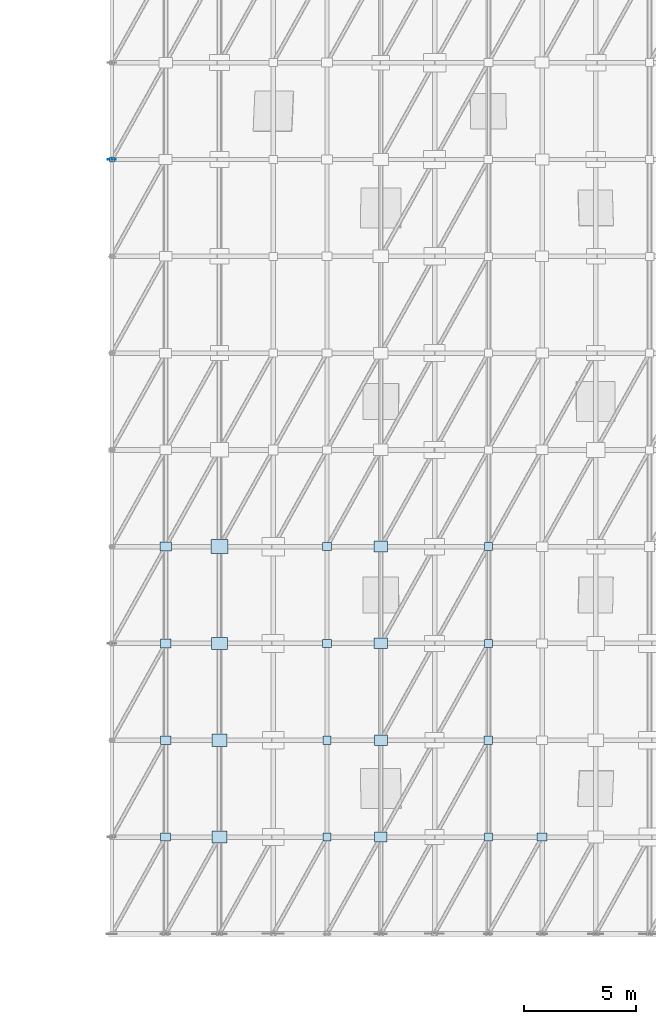
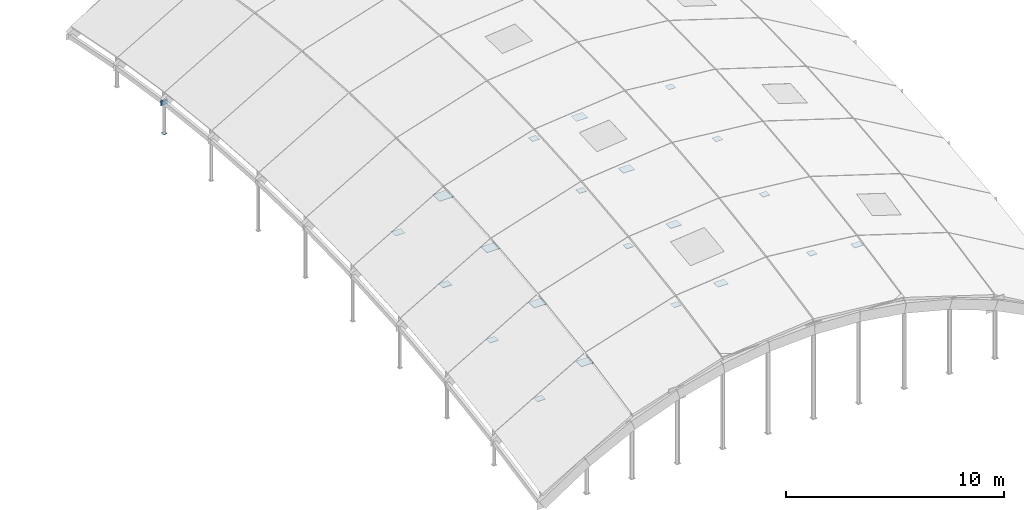
# One storey, part 29 of 35: 23 plates.
"""IFC4 building model written with IfcOpenShell, lengths in metres."""

from ifc_helpers import new_model, si_unit, direction, frame, origin, origin_2d, place, context, subcontext, project, spatial, rectangle, extrude, material, layer, layer_set, type_object, element, save


model = new_model("IFC4")

# Units and contexts
model_context = context("Model", 3, precision=1e-05, world=origin(), true_north=direction((0.0, 1.0)))
body_context = subcontext(model_context, "Body", "Model", "MODEL_VIEW")
ifc_project = project(units=[si_unit("LENGTHUNIT", "METRE"), si_unit("AREAUNIT", "SQUARE_METRE"), si_unit("VOLUMEUNIT", "CUBIC_METRE"), si_unit("PLANEANGLEUNIT", "RADIAN"), si_unit("MASSUNIT", "GRAM", prefix="KILO")], contexts=[model_context])

# Site, building, storey
site_placement = place(None, origin())
site = spatial("IfcSite", under=ifc_project, at=site_placement, CompositionType="ELEMENT")
building_placement = place(site_placement, origin())
building = spatial("IfcBuilding", under=site, at=building_placement, Name="Zarrinpeak Specialist Clinic", CompositionType="ELEMENT")
storey_placement = place(building_placement, frame((0.0, 0.0, 31.60009765625)))
storey = spatial("IfcBuildingStorey", under=building, at=storey_placement, Name="RF", CompositionType="ELEMENT", Elevation=31.60009765625)

# Plates
ifc_material = material(Name="Steel S355", Category="steel")
ifc_layer_1 = layer(ifc_material, 0.013916015625)
ifc_layer_set_1 = layer_set([ifc_layer_1], Name="Steel S355")
plate_type_1 = type_object("IfcPlateType", Name="PL-CAP168", PredefinedType="SHEET", material=ifc_layer_set_1)
plate_1_placement = place(storey_placement, frame((93.60009765625, 63.360107421875, -17.81201171875), z_axis=(0.0, 0.0, 1.0), x_axis=(1.0, 0.0, 0.0)))
element("IfcPlate", 1, at=plate_1_placement, inside=storey, type_object=plate_type_1, Name="V3 Gridshell Edge Post Cap Plate PCAP-037", PredefinedType="SHEET", context=body_context, shape_type="SweptSolid", body=[
    extrude(rectangle(XDim=0.2099609375, YDim=0.2099609375, at=origin_2d()), origin(), (0.0, 0.0, 1.0), 0.013916015625),
])
ifc_layer_2 = layer(ifc_material, 0.01806640625)
ifc_layer_set_2 = layer_set([ifc_layer_2], Name="Steel S355")
plate_type_2 = type_object("IfcPlateType", Name="PL-GSN03", PredefinedType="SHEET", material=ifc_layer_set_2)
plate_2_placement = place(storey_placement, frame((110.39990234375, 33.1201171875, -12.0654296875), z_axis=(0.0, 0.0, 1.0), x_axis=(1.0, 0.0, 0.0)))
element("IfcPlate", 2, at=plate_2_placement, inside=storey, type_object=plate_type_2, Name="V3 Gridshell Hub Node Plate GSN-I07-J01", PredefinedType="SHEET", context=body_context, shape_type="SweptSolid", body=[
    extrude(rectangle(XDim=0.360107421875, YDim=0.360107421875, at=origin_2d()), origin(), (0.0, 0.0, 1.0), 0.01806640625),
])
ifc_layer_3 = layer(ifc_material, 0.02197265625)
ifc_layer_set_3 = layer_set([ifc_layer_3], Name="Steel S355")
plate_type_3 = type_object("IfcPlateType", Name="PL-GSN04", PredefinedType="SHEET", material=ifc_layer_set_3)
plate_3_placement = place(storey_placement, frame((110.39990234375, 37.43994140625, -11.395263671875), z_axis=(0.0, 0.0, 1.0), x_axis=(1.0, 0.0, 0.0)))
element("IfcPlate", 3, at=plate_3_placement, inside=storey, type_object=plate_type_3, Name="V3 Gridshell Hub Node Plate GSN-I07-J02", PredefinedType="SHEET", context=body_context, shape_type="SweptSolid", body=[
    extrude(rectangle(XDim=0.3798828125, YDim=0.360107421875, at=origin_2d()), origin(), (0.0, 0.0, 1.0), 0.02197265625),
])
ifc_layer_4 = layer(ifc_material, 0.01611328125)
ifc_layer_set_4 = layer_set([ifc_layer_4], Name="Steel S355")
plate_type_4 = type_object("IfcPlateType", Name="PL-ND01", PredefinedType="SHEET", material=ifc_layer_set_4)
plate_4_placement = place(storey_placement, frame((110.39990234375, 41.760009765625, -10.912353515625), z_axis=(0.0, 0.0, 1.0), x_axis=(1.0, 0.0, 0.0)))
element("IfcPlate", 4, at=plate_4_placement, inside=storey, type_object=plate_type_4, Name="V3 Gridshell Hub Node Plate GSN-I07-J03", PredefinedType="SHEET", context=body_context, shape_type="SweptSolid", body=[
    extrude(rectangle(XDim=0.360107421875, YDim=0.360107421875, at=origin_2d()), origin(), (0.0, 0.0, 1.0), 0.01611328125),
])
ifc_layer_5 = layer(ifc_material, 0.01806640625)
ifc_layer_set_5 = layer_set([ifc_layer_5], Name="Steel S355")
plate_type_5 = type_object("IfcPlateType", Name="PL-ND02", PredefinedType="SHEET", material=ifc_layer_set_5)
plate_5_placement = place(storey_placement, frame((110.39990234375, 46.080078125, -10.62548828125), z_axis=(0.0, 0.0, 1.0), x_axis=(1.0, 0.0, 0.0)))
element("IfcPlate", 5, at=plate_5_placement, inside=storey, type_object=plate_type_5, Name="V3 Gridshell Hub Node Plate GSN-I07-J04", PredefinedType="SHEET", context=body_context, shape_type="SweptSolid", body=[
    extrude(rectangle(XDim=0.360107421875, YDim=0.360107421875, at=origin_2d()), origin(), (0.0, 0.0, 1.0), 0.01806640625),
])
ifc_layer_6 = layer(ifc_material, 0.02197265625)
ifc_layer_set_6 = layer_set([ifc_layer_6], Name="Steel S355")
plate_type_6 = type_object("IfcPlateType", Name="PL-ND04", PredefinedType="SHEET", material=ifc_layer_set_6)
plate_6_placement = place(storey_placement, frame((103.199951171875, 33.1201171875, -12.431884765625), z_axis=(0.0, 0.0, 1.0), x_axis=(1.0, 0.0, 0.0)))
element("IfcPlate", 6, at=plate_6_placement, inside=storey, type_object=plate_type_6, Name="V3 Gridshell Hub Node Plate GSN-I04-J01", PredefinedType="SHEET", context=body_context, shape_type="SweptSolid", body=[
    extrude(rectangle(XDim=0.360107421875, YDim=0.360107421875, at=origin_2d()), origin(), (0.0, 0.0, 1.0), 0.02197265625),
])
ifc_layer_7 = layer(ifc_material, 0.02392578125)
ifc_layer_set_7 = layer_set([ifc_layer_7], Name="Steel S355")
plate_type_7 = type_object("IfcPlateType", Name="PL-ND05", PredefinedType="SHEET", material=ifc_layer_set_7)
plate_7_placement = place(storey_placement, frame((93.60009765625, 63.360107421875, -16.209228515625), z_axis=(0.0, 0.0, 1.0), x_axis=(1.0, 0.0, 0.0)))
element("IfcPlate", 7, at=plate_7_placement, inside=storey, type_object=plate_type_7, Name="V3 Gridshell Hub Node Plate GSN-I00-J08", PredefinedType="SHEET", context=body_context, shape_type="SweptSolid", body=[
    extrude(rectangle(XDim=0.360107421875, YDim=0.02392578125, at=origin_2d()), origin(), (0.0, 0.0, 1.0), 0.2900390625),
])
plate_8_placement = place(storey_placement, frame((103.199951171875, 37.43994140625, -11.760986328125), z_axis=(0.0, 0.0, 1.0), x_axis=(1.0, 0.0, 0.0)))
element("IfcPlate", 8, at=plate_8_placement, inside=storey, type_object=plate_type_7, Name="V3 Gridshell Hub Node Plate GSN-I04-J02", PredefinedType="SHEET", context=body_context, shape_type="SweptSolid", body=[
    extrude(rectangle(XDim=0.360107421875, YDim=0.360107421875, at=origin_2d()), origin(), (0.0, 0.0, 1.0), 0.02392578125),
])
ifc_layer_8 = layer(ifc_material, 0.013916015625)
ifc_layer_set_8 = layer_set([ifc_layer_8], Name="Steel S355")
plate_type_8 = type_object("IfcPlateType", Name="PL-ND06", PredefinedType="SHEET", material=ifc_layer_set_8)
plate_9_placement = place(storey_placement, frame((103.199951171875, 41.760009765625, -11.27587890625), z_axis=(0.0, 0.0, 1.0), x_axis=(1.0, 0.0, 0.0)))
element("IfcPlate", 9, at=plate_9_placement, inside=storey, type_object=plate_type_8, Name="V3 Gridshell Hub Node Plate GSN-I04-J03", PredefinedType="SHEET", context=body_context, shape_type="SweptSolid", body=[
    extrude(rectangle(XDim=0.3798828125, YDim=0.360107421875, at=origin_2d()), origin(), (0.0, 0.0, 1.0), 0.013916015625),
])
ifc_layer_9 = layer(ifc_material, 0.01611328125)
ifc_layer_set_9 = layer_set([ifc_layer_9], Name="Steel S355")
plate_type_9 = type_object("IfcPlateType", Name="PL-ND07", PredefinedType="SHEET", material=ifc_layer_set_9)
plate_10_placement = place(storey_placement, frame((103.199951171875, 46.080078125, -10.989013671875), z_axis=(0.0, 0.0, 1.0), x_axis=(1.0, 0.0, 0.0)))
element("IfcPlate", 10, at=plate_10_placement, inside=storey, type_object=plate_type_9, Name="V3 Gridshell Hub Node Plate GSN-I04-J04", PredefinedType="SHEET", context=body_context, shape_type="SweptSolid", body=[
    extrude(rectangle(XDim=0.39990234375, YDim=0.360107421875, at=origin_2d()), origin(), (0.0, 0.0, 1.0), 0.01611328125),
])
ifc_layer_10 = layer(ifc_material, 0.02001953125)
ifc_layer_set_10 = layer_set([ifc_layer_10], Name="Steel S355")
plate_type_10 = type_object("IfcPlateType", Name="PL-ND09", PredefinedType="SHEET", material=ifc_layer_set_10)
plate_11_placement = place(storey_placement, frame((96.0, 33.1201171875, -15.16162109375), z_axis=(0.0, 0.0, 1.0), x_axis=(1.0, 0.0, 0.0)))
element("IfcPlate", 11, at=plate_11_placement, inside=storey, type_object=plate_type_10, Name="V3 Gridshell Hub Node Plate GSN-I01-J01", PredefinedType="SHEET", context=body_context, shape_type="SweptSolid", body=[
    extrude(rectangle(XDim=0.43994140625, YDim=0.360107421875, at=origin_2d()), origin(), (0.0, 0.0, 1.0), 0.02001953125),
])
ifc_layer_11 = layer(ifc_material, 0.02197265625)
ifc_layer_set_11 = layer_set([ifc_layer_11], Name="Steel S355")
plate_type_11 = type_object("IfcPlateType", Name="PL-ND10", PredefinedType="SHEET", material=ifc_layer_set_11)
for number, where, z_axis, x_axis, name in (
    (12, (96.0, 37.43994140625, -14.490478515625), (0.0, 0.0, 1.0), (1.0, 0.0, 0.0), "V3 Gridshell Hub Node Plate GSN-I01-J02"),
    (13, (112.800048828125, 33.1201171875, -12.431884765625), (0.0, 0.0, 1.0), (1.0, 0.0, 0.0), "V3 Gridshell Hub Node Plate GSN-I08-J01"),
):
    element("IfcPlate", number, at=place(storey_placement, frame(where, z_axis=z_axis, x_axis=x_axis)), inside=storey, type_object=plate_type_11, Name=name, PredefinedType="SHEET", context=body_context, shape_type="SweptSolid", body=[
        extrude(rectangle(XDim=0.4599609375, YDim=0.3701171875, at=origin_2d()), origin(), (0.0, 0.0, 1.0), 0.02197265625),
    ])
ifc_layer_12 = layer(ifc_material, 0.02392578125)
ifc_layer_set_12 = layer_set([ifc_layer_12], Name="Steel S355")
plate_type_12 = type_object("IfcPlateType", Name="PL-ND11", PredefinedType="SHEET", material=ifc_layer_set_12)
plate_12_placement = place(storey_placement, frame((96.0, 41.760009765625, -14.011474609375), z_axis=(0.0, 0.0, 1.0), x_axis=(1.0, 0.0, 0.0)))
element("IfcPlate", 14, at=plate_12_placement, inside=storey, type_object=plate_type_12, Name="V3 Gridshell Hub Node Plate GSN-I01-J03", PredefinedType="SHEET", context=body_context, shape_type="SweptSolid", body=[
    extrude(rectangle(XDim=0.47998046875, YDim=0.389892578125, at=origin_2d()), origin(), (0.0, 0.0, 1.0), 0.02392578125),
])
ifc_layer_13 = layer(ifc_material, 0.013916015625)
ifc_layer_set_13 = layer_set([ifc_layer_13], Name="Steel S355")
plate_type_13 = type_object("IfcPlateType", Name="PL-ND12", PredefinedType="SHEET", material=ifc_layer_set_13)
plate_13_placement = place(storey_placement, frame((96.0, 46.080078125, -13.71826171875), z_axis=(0.0, 0.0, 1.0), x_axis=(1.0, 0.0, 0.0)))
element("IfcPlate", 15, at=plate_13_placement, inside=storey, type_object=plate_type_13, Name="V3 Gridshell Hub Node Plate GSN-I01-J04", PredefinedType="SHEET", context=body_context, shape_type="SweptSolid", body=[
    extrude(rectangle(XDim=0.5, YDim=0.39990234375, at=origin_2d()), origin(), (0.0, 0.0, 1.0), 0.013916015625),
])
ifc_layer_14 = layer(ifc_material, 0.02001953125)
ifc_layer_set_14 = layer_set([ifc_layer_14], Name="Steel S355")
plate_type_14 = type_object("IfcPlateType", Name="PL-ND15", PredefinedType="SHEET", material=ifc_layer_set_14)
plate_14_placement = place(storey_placement, frame((105.60009765625, 33.1201171875, -12.06640625), z_axis=(0.0, 0.0, 1.0), x_axis=(1.0, 0.0, 0.0)))
element("IfcPlate", 16, at=plate_14_placement, inside=storey, type_object=plate_type_14, Name="V3 Gridshell Hub Node Plate GSN-I05-J01", PredefinedType="SHEET", context=body_context, shape_type="SweptSolid", body=[
    extrude(rectangle(XDim=0.56005859375, YDim=0.43994140625, at=origin_2d()), origin(), (0.0, 0.0, 1.0), 0.02001953125),
])
ifc_layer_15 = layer(ifc_material, 0.02197265625)
ifc_layer_set_15 = layer_set([ifc_layer_15], Name="Steel S355")
plate_type_15 = type_object("IfcPlateType", Name="PL-ND16", PredefinedType="SHEET", material=ifc_layer_set_15)
plate_15_placement = place(storey_placement, frame((105.60009765625, 37.43994140625, -11.395263671875), z_axis=(0.0, 0.0, 1.0), x_axis=(1.0, 0.0, 0.0)))
element("IfcPlate", 17, at=plate_15_placement, inside=storey, type_object=plate_type_15, Name="V3 Gridshell Hub Node Plate GSN-I05-J02", PredefinedType="SHEET", context=body_context, shape_type="SweptSolid", body=[
    extrude(rectangle(XDim=0.580078125, YDim=0.4599609375, at=origin_2d()), origin(), (0.0, 0.0, 1.0), 0.02197265625),
])
ifc_layer_16 = layer(ifc_material, 0.02392578125)
ifc_layer_set_16 = layer_set([ifc_layer_16], Name="Steel S355")
plate_type_16 = type_object("IfcPlateType", Name="PL-ND17", PredefinedType="SHEET", material=ifc_layer_set_16)
plate_16_placement = place(storey_placement, frame((105.60009765625, 41.760009765625, -10.916259765625), z_axis=(0.0, 0.0, 1.0), x_axis=(1.0, 0.0, 0.0)))
element("IfcPlate", 18, at=plate_16_placement, inside=storey, type_object=plate_type_16, Name="V3 Gridshell Hub Node Plate GSN-I05-J03", PredefinedType="SHEET", context=body_context, shape_type="SweptSolid", body=[
    extrude(rectangle(XDim=0.60009765625, YDim=0.469970703125, at=origin_2d()), origin(), (0.0, 0.0, 1.0), 0.02392578125),
])
ifc_layer_17 = layer(ifc_material, 0.013916015625)
ifc_layer_set_17 = layer_set([ifc_layer_17], Name="Steel S355")
plate_type_17 = type_object("IfcPlateType", Name="PL-ND18", PredefinedType="SHEET", material=ifc_layer_set_17)
plate_17_placement = place(storey_placement, frame((105.60009765625, 46.080078125, -10.62353515625), z_axis=(0.0, 0.0, 1.0), x_axis=(1.0, 0.0, 0.0)))
element("IfcPlate", 19, at=plate_17_placement, inside=storey, type_object=plate_type_17, Name="V3 Gridshell Hub Node Plate GSN-I05-J04", PredefinedType="SHEET", context=body_context, shape_type="SweptSolid", body=[
    extrude(rectangle(XDim=0.6201171875, YDim=0.489990234375, at=origin_2d()), origin(), (0.0, 0.0, 1.0), 0.013916015625),
])
ifc_layer_18 = layer(ifc_material, 0.01806640625)
ifc_layer_set_18 = layer_set([ifc_layer_18], Name="Steel S355")
plate_type_18 = type_object("IfcPlateType", Name="PL-ND20", PredefinedType="SHEET", material=ifc_layer_set_18)
plate_18_placement = place(storey_placement, frame((98.39990234375, 33.1201171875, -13.94873046875), z_axis=(0.0, 0.0, 1.0), x_axis=(1.0, 0.0, 0.0)))
element("IfcPlate", 20, at=plate_18_placement, inside=storey, type_object=plate_type_18, Name="V3 Gridshell Hub Node Plate GSN-I02-J01", PredefinedType="SHEET", context=body_context, shape_type="SweptSolid", body=[
    extrude(rectangle(XDim=0.659912109375, YDim=0.52001953125, at=origin_2d()), origin(), (0.0, 0.0, 1.0), 0.01806640625),
])
ifc_layer_19 = layer(ifc_material, 0.02001953125)
ifc_layer_set_19 = layer_set([ifc_layer_19], Name="Steel S355")
plate_type_19 = type_object("IfcPlateType", Name="PL-ND21", PredefinedType="SHEET", material=ifc_layer_set_19)
plate_19_placement = place(storey_placement, frame((98.39990234375, 37.43994140625, -13.277587890625), z_axis=(0.0, 0.0, 1.0), x_axis=(1.0, 0.0, 0.0)))
element("IfcPlate", 21, at=plate_19_placement, inside=storey, type_object=plate_type_19, Name="V3 Gridshell Hub Node Plate GSN-I02-J02", PredefinedType="SHEET", context=body_context, shape_type="SweptSolid", body=[
    extrude(rectangle(XDim=0.679931640625, YDim=0.5400390625, at=origin_2d()), origin(), (0.0, 0.0, 1.0), 0.02001953125),
])
ifc_layer_20 = layer(ifc_material, 0.02197265625)
ifc_layer_set_20 = layer_set([ifc_layer_20], Name="Steel S355")
plate_type_20 = type_object("IfcPlateType", Name="PL-ND22", PredefinedType="SHEET", material=ifc_layer_set_20)
plate_20_placement = place(storey_placement, frame((98.39990234375, 41.760009765625, -12.798583984375), z_axis=(0.0, 0.0, 1.0), x_axis=(1.0, 0.0, 0.0)))
element("IfcPlate", 22, at=plate_20_placement, inside=storey, type_object=plate_type_20, Name="V3 Gridshell Hub Node Plate GSN-I02-J03", PredefinedType="SHEET", context=body_context, shape_type="SweptSolid", body=[
    extrude(rectangle(XDim=0.699951171875, YDim=0.550048828125, at=origin_2d()), origin(), (0.0, 0.0, 1.0), 0.02197265625),
])
ifc_layer_21 = layer(ifc_material, 0.02099609375)
ifc_layer_set_21 = layer_set([ifc_layer_21], Name="Steel S355")
plate_type_21 = type_object("IfcPlateType", Name="PL-ND23", PredefinedType="SHEET", material=ifc_layer_set_21)
plate_21_placement = place(storey_placement, frame((98.39990234375, 46.080078125, -12.51025390625), z_axis=(0.0, 0.0, 1.0), x_axis=(1.0, 0.0, 0.0)))
element("IfcPlate", 23, at=plate_21_placement, inside=storey, type_object=plate_type_21, Name="V3 Gridshell Hub Node Plate GSN-I02-J04", PredefinedType="SHEET", context=body_context, shape_type="SweptSolid", body=[
    extrude(rectangle(XDim=0.77294921875, YDim=0.631103515625, at=origin_2d()), origin(), (0.0, 0.0, 1.0), 0.02099609375),
])

save(model, "model.ifc")
